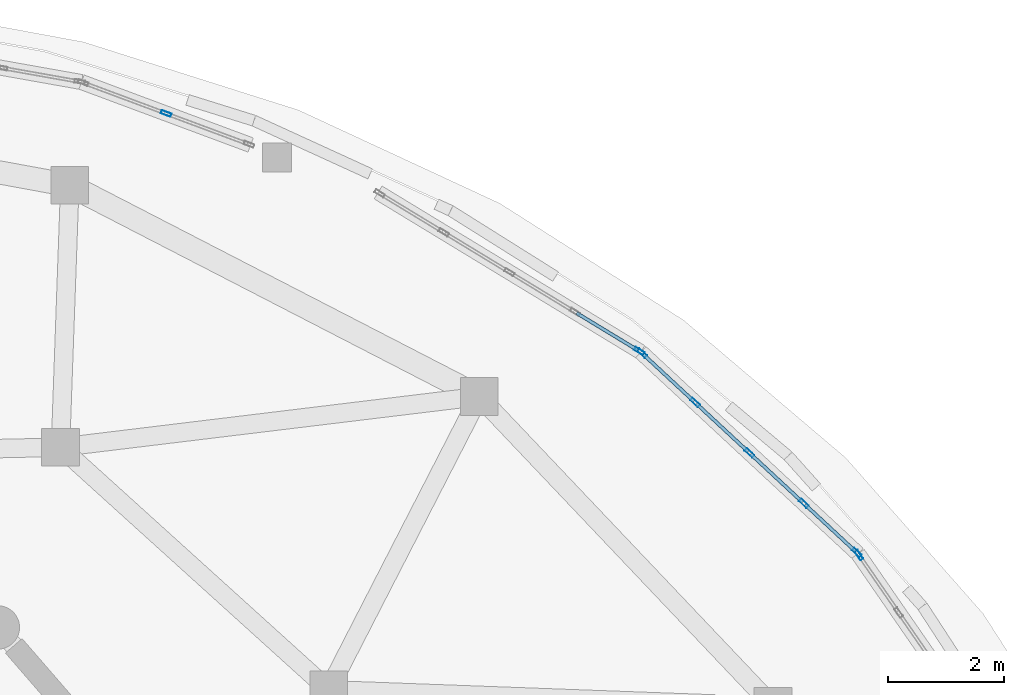
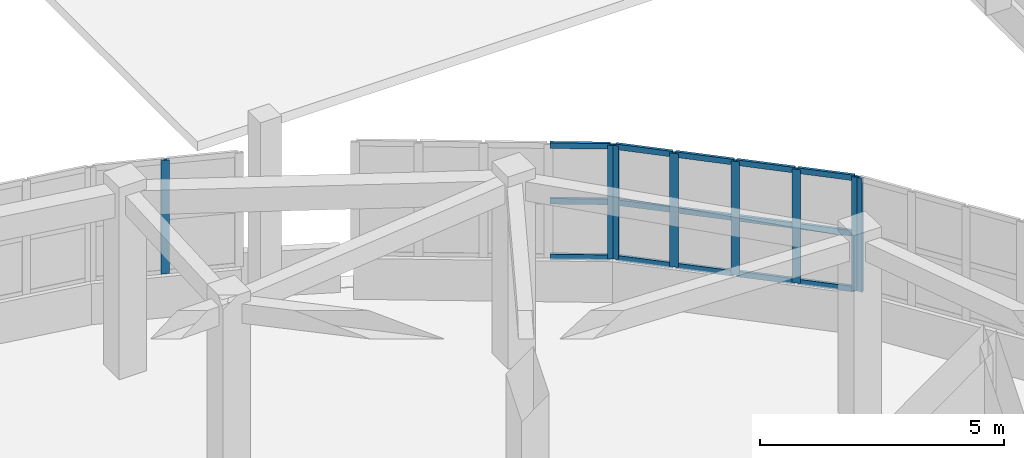
# One storey, part 62 of 105: 23 members, 4 elements without a shape of their own.
"""IFC4 building model written with IfcOpenShell, lengths in metres."""

import ifcopenshell
import ifcopenshell.guid

model = None  # the IFC model being written
_history = None  # IfcOwnerHistory: only IFC2X3 demands one
_inside = {}  # id of a spatial element -> (the spatial element, [elements in it])
_under = {}  # id of a project, library or spatial element -> (it, [spatial elements below it])
_declared = {}  # id of a project -> (the project, [libraries it declares])
_typed = {}  # id of a type object -> (the type object, [elements of that type])
_made_of = {}  # id of a material, layer set ... -> (it, [elements and type objects made of it])


def new_model(schema):
    """Start an empty IFC model of exactly this schema.

    Asked for "IFC4X3", IfcOpenShell would pick the latest addendum, in which some entities
    have other attributes; the version numbers below select the first issue.
    IFC2X3 requires an IfcOwnerHistory on every rooted entity: one is made here for all.
    """
    global model, _history
    if schema == "IFC4X3":
        model = ifcopenshell.file(schema_version=(4, 3, 0, 0))
    else:
        model = ifcopenshell.file(schema=schema)
    _inside.clear()
    _under.clear()
    _declared.clear()
    _typed.clear()
    _made_of.clear()
    _history = None
    if model.schema == "IFC2X3":
        org = make("IfcOrganization", Name="unknown")
        user = make(
            "IfcPersonAndOrganization",
            ThePerson=make("IfcPerson", FamilyName="unknown"),
            TheOrganization=org,
        )
        app = make(
            "IfcApplication",
            ApplicationDeveloper=org,
            Version="unknown",
            ApplicationFullName="unknown",
            ApplicationIdentifier="unknown",
        )
        _history = make(
            "IfcOwnerHistory",
            OwningUser=user,
            OwningApplication=app,
            ChangeAction="ADDED",
            CreationDate=0,
        )
    return model


def make(cls, **values):
    """One entity of the class cls with the attributes given. An attribute that is None is left unset."""
    return model.create_entity(
        cls, **{name: value for name, value in values.items() if value is not None}
    )


def rooted(cls, **values):
    """An entity with a GlobalId (a new one), such as an element, a storey or a relation."""
    return make(cls, GlobalId=ifcopenshell.guid.new(), OwnerHistory=_history, **values)


def si_unit(unit_type, name, prefix=None):
    """IfcSIUnit, for example si_unit("LENGTHUNIT", "METRE", prefix="MILLI")."""
    return make("IfcSIUnit", UnitType=unit_type, Prefix=prefix, Name=name)


def assignment(units):
    """IfcUnitAssignment: the units of a project."""
    return None if units is None else make("IfcUnitAssignment", Units=units)


def point(xyz):
    """IfcCartesianPoint."""
    return None if xyz is None else make("IfcCartesianPoint", Coordinates=xyz)


def direction(xyz):
    """IfcDirection."""
    return None if xyz is None else make("IfcDirection", DirectionRatios=xyz)


def frame(location, z_axis=None, x_axis=None):
    """IfcAxis2Placement3D, a coordinate frame: its origin and axes. An axis left out is left unset."""
    return make(
        "IfcAxis2Placement3D",
        Location=point(location),
        Axis=direction(z_axis),
        RefDirection=direction(x_axis),
    )


def frame_2d(location, x_axis=None):
    """IfcAxis2Placement2D, a coordinate frame in the plane: its origin and x axis."""
    return make(
        "IfcAxis2Placement2D", Location=point(location), RefDirection=direction(x_axis)
    )


def origin():
    """The frame at (0, 0, 0) with its axes left unset."""
    return frame((0.0, 0.0, 0.0))


def origin_2d():
    """The frame at (0, 0) in the plane with its x axis left unset."""
    return frame_2d((0.0, 0.0))


def place(relative_to, where):
    """IfcLocalPlacement: puts the frame where relative to a parent placement (None: the world)."""
    return make(
        "IfcLocalPlacement", PlacementRelTo=relative_to, RelativePlacement=where
    )


def context(
    kind, dimensions, precision=None, world=None, true_north=None, identifier=None
):
    """IfcGeometricRepresentationContext, for example the 3D "Model" context."""
    return make(
        "IfcGeometricRepresentationContext",
        ContextIdentifier=identifier,
        ContextType=kind,
        CoordinateSpaceDimension=dimensions,
        Precision=precision,
        WorldCoordinateSystem=world,
        TrueNorth=true_north,
    )


def subcontext(parent, identifier, kind, view, scale=None):
    """IfcGeometricRepresentationSubContext, for example "Body" below "Model"."""
    return make(
        "IfcGeometricRepresentationSubContext",
        ContextIdentifier=identifier,
        ContextType=kind,
        ParentContext=parent,
        TargetScale=scale,
        TargetView=view,
    )


def project(units=None, contexts=None):
    """IfcProject with its units and contexts."""
    return rooted(
        "IfcProject",
        Name="project",
        RepresentationContexts=contexts,
        UnitsInContext=assignment(units),
    )


def spatial(cls, under=None, at=None, **own):
    """A site, building, storey or space (cls), placed at a placement, below another one or the project."""
    s = rooted(cls, ObjectPlacement=at, **own)
    if under is not None:
        _under.setdefault(under.id(), (under, []))[1].append(s)
    return s


def profile(cls, at=None, kind="AREA", **sizes):
    """A parametric profile (cls). Its sizes go by their IFC names, for example OverallWidth=200.0."""
    return make(cls, ProfileType=kind, Position=at, **sizes)


def hollow_rectangle(**sizes):
    """IfcRectangleHollowProfileDef."""
    return profile("IfcRectangleHollowProfileDef", **sizes)


def extrude(swept, where, along, depth):
    """IfcExtrudedAreaSolid: the profile swept, set in the frame where, extruded along a direction by depth."""
    return make(
        "IfcExtrudedAreaSolid",
        SweptArea=swept,
        Position=where,
        ExtrudedDirection=direction(along),
        Depth=depth,
    )


def shape(context_of_items, identifier, shape_type, items):
    """IfcShapeRepresentation: the items that make up one representation, for example the "Body"."""
    return make(
        "IfcShapeRepresentation",
        ContextOfItems=context_of_items,
        RepresentationIdentifier=identifier,
        RepresentationType=shape_type,
        Items=items,
    )


def material(Name=None, Category=None):
    """IfcMaterial."""
    return make("IfcMaterial", Name=Name, Category=Category)


def layer(
    of_material, thickness, ventilated=None, Name=None, Category=None, Priority=None
):
    """IfcMaterialLayer: one layer of a wall or slab, of a material (None: an air gap)."""
    return make(
        "IfcMaterialLayer",
        Material=of_material,
        LayerThickness=thickness,
        IsVentilated=ventilated,
        Name=Name,
        Category=Category,
        Priority=Priority,
    )


def layer_set(layers, Name=None):
    """IfcMaterialLayerSet."""
    return make("IfcMaterialLayerSet", MaterialLayers=layers, LayerSetName=Name)


def material_profile(
    of_material, cross_section, Name=None, Category=None, Priority=None
):
    """IfcMaterialProfile: a cross section and its material."""
    return make(
        "IfcMaterialProfile",
        Name=Name,
        Material=of_material,
        Profile=cross_section,
        Priority=Priority,
        Category=Category,
    )


def profile_set(profiles, Name=None, composite=None):
    """IfcMaterialProfileSet."""
    return make(
        "IfcMaterialProfileSet",
        Name=Name,
        MaterialProfiles=profiles,
        CompositeProfile=composite,
    )


def made_of(thing, what):
    """Note that an element or type object is made of a material, layer set ...; save() writes the relation."""
    if what is not None:
        _made_of.setdefault(what.id(), (what, []))[1].append(thing)
    return thing


def type_object(cls, material=None, **own):
    """A type object (cls), such as IfcWallType, which elements share."""
    return made_of(rooted(cls, **own), material)


def element(
    cls,
    number,
    at=None,
    inside=None,
    cuts=None,
    type_object=None,
    material=None,
    context=None,
    identifier="Body",
    shape_type=None,
    held_by="IfcProductDefinitionShape",
    body=None,
    shapes=None,
    **own,
):
    """One element of the class cls, such as IfcWall. Its Tag is "e" and its number.

    at: its placement. inside: the storey or other place that contains it. cuts: it is an
    opening in that element (IfcRelVoidsElement). A single representation is given by context,
    identifier, shape_type and body (its items); several are given by shapes. held_by: the class
    of the entity that holds the representations. save() writes the other relations.
    """
    e = rooted(cls, Tag="e%d" % number, ObjectPlacement=at, **own)
    if body is not None:
        shapes = [shape(context, identifier, shape_type, body)]
    if shapes is not None:
        e.Representation = make(held_by, Representations=shapes)
    if inside is not None:
        _inside.setdefault(inside.id(), (inside, []))[1].append(e)
    if cuts is not None:
        rooted(
            "IfcRelVoidsElement", RelatingBuildingElement=cuts, RelatedOpeningElement=e
        )
    if type_object is not None:
        _typed.setdefault(type_object.id(), (type_object, []))[1].append(e)
    return made_of(e, material)


def aggregate(whole, parts):
    """IfcRelAggregates: a whole, such as a stair, and the parts it consists of."""
    return rooted("IfcRelAggregates", RelatingObject=whole, RelatedObjects=parts)


def save(model, path):
    """Write the relations noted so far, then the file.

    IfcRelAggregates (storeys below a building ...), IfcRelContainedInSpatialStructure (elements
    in a storey), IfcRelDefinesByType, IfcRelAssociatesMaterial and IfcRelDeclares: one each for
    every whole, place, type object, material and project.
    """
    for whole, parts in _under.values():
        aggregate(whole, parts)
    for where, things in _inside.values():
        rooted(
            "IfcRelContainedInSpatialStructure",
            RelatedElements=things,
            RelatingStructure=where,
        )
    for kind, things in _typed.values():
        rooted("IfcRelDefinesByType", RelatedObjects=things, RelatingType=kind)
    for what, things in _made_of.values():
        rooted("IfcRelAssociatesMaterial", RelatedObjects=things, RelatingMaterial=what)
    for by, libraries in _declared.values():
        rooted("IfcRelDeclares", RelatingContext=by, RelatedDefinitions=libraries)
    model.write(path)


model = new_model("IFC4")

# Units and contexts
model_context = context("Model", 3, precision=1e-05, world=origin(), true_north=direction((0.0, 1.0)))
body_context = subcontext(model_context, "Body", "Model", "MODEL_VIEW")
ifc_project = project(units=[si_unit("LENGTHUNIT", "METRE"), si_unit("AREAUNIT", "SQUARE_METRE"), si_unit("VOLUMEUNIT", "CUBIC_METRE"), si_unit("PLANEANGLEUNIT", "RADIAN"), si_unit("MASSUNIT", "GRAM", prefix="KILO")], contexts=[model_context])

# Site, building, storey
site_placement = place(None, origin())
site = spatial("IfcSite", under=ifc_project, at=site_placement, CompositionType="ELEMENT")
building_placement = place(site_placement, origin())
building = spatial("IfcBuilding", under=site, at=building_placement, Name="Pelvatis Terrace Science Centre", CompositionType="ELEMENT")
storey_placement = place(building_placement, frame((0.0, 0.0, 10.199951171875)))
storey = spatial("IfcBuildingStorey", under=building, at=storey_placement, Name="L02", CompositionType="ELEMENT", Elevation=10.199951171875)

# Curtain wall, member
ifc_material_1 = material(Name="Bronze-anodised aluminium and laminated glass", Category="aluminium")
ifc_layer = layer(ifc_material_1, 0.179931640625)
ifc_layer_set = layer_set([ifc_layer], Name="Bronze-anodised aluminium and laminated glass")
curtain_wall_type = type_object("IfcCurtainWallType", Name="CW-RIBBON-A", PredefinedType="NOTDEFINED", material=ifc_layer_set)
curtain_wall_1_placement = place(storey_placement, origin())
curtain_wall_1 = element("IfcCurtainWall", 1, at=curtain_wall_1_placement, inside=storey, type_object=curtain_wall_type, Name="Ribbon curtain wall CW-156 (L02)", PredefinedType="NOTDEFINED")
ifc_material_2 = material(Name="Bronze-anodised aluminium 6063-T6", Category="aluminium")
ifc_material_profile_1 = material_profile(ifc_material_2, hollow_rectangle(XDim=0.06005859375, YDim=0.179931640625, WallThickness=0.00390625, at=origin_2d()), Name="ALU-MUL 60x180")
ifc_profile_set_1 = profile_set([ifc_material_profile_1], Name="Bronze-anodised aluminium 6063-T6")
member_type_1 = type_object("IfcMemberType", Name="CWM-60x180", PredefinedType="MULLION", material=ifc_profile_set_1)
member_1_placement = place(storey_placement, frame((132.339111328125, 96.571044921875, 1.02001953125), z_axis=(0.0, 0.0, 1.0), x_axis=(-0.822888336113, -0.568203120626, 0.0)))
member_1 = element("IfcMember", 2, at=member_1_placement, type_object=member_type_1, Name="CW-156 mullion 5", PredefinedType="MULLION", context=body_context, shape_type="SweptSolid", body=[
    extrude(hollow_rectangle(XDim=0.06005859375, YDim=0.179931640625, WallThickness=0.00390625, at=origin_2d()), origin(), (0.0, 0.0, 1.0), 2.840087890625),
])
aggregate(curtain_wall_1, [member_1])

# Curtain wall, members
curtain_wall_2_placement = place(storey_placement, origin())
curtain_wall_2 = element("IfcCurtainWall", 3, at=curtain_wall_2_placement, inside=storey, type_object=curtain_wall_type, Name="Ribbon curtain wall CW-157 (L02)", PredefinedType="NOTDEFINED")
member_2_placement = place(storey_placement, frame((132.300048828125, 96.6162109375, 1.02001953125), z_axis=(0.0, 0.0, 1.0), x_axis=(-0.680469807369, -0.732776119466, 0.0)))
member_2 = element("IfcMember", 4, at=member_2_placement, type_object=member_type_1, Name="CW-157 mullion 1", PredefinedType="MULLION", context=body_context, shape_type="SweptSolid", body=[
    extrude(hollow_rectangle(XDim=0.06005859375, YDim=0.179931640625, WallThickness=0.00390625, at=origin_2d()), origin(), (0.0, 0.0, 1.0), 2.840087890625),
])
member_3_placement = place(storey_placement, frame((131.383056640625, 97.4677734375, 1.02001953125), z_axis=(0.0, 0.0, 1.0), x_axis=(-0.680469807369, -0.732776119466, 0.0)))
member_3 = element("IfcMember", 5, at=member_3_placement, type_object=member_type_1, Name="CW-157 mullion 2", PredefinedType="MULLION", context=body_context, shape_type="SweptSolid", body=[
    extrude(hollow_rectangle(XDim=0.06005859375, YDim=0.179931640625, WallThickness=0.00390625, at=origin_2d()), origin(), (0.0, 0.0, 1.0), 2.840087890625),
])
member_4_placement = place(storey_placement, frame((130.444091796875, 98.339599609375, 1.02001953125), z_axis=(0.0, 0.0, 1.0), x_axis=(-0.680469807369, -0.732776119466, 0.0)))
member_4 = element("IfcMember", 6, at=member_4_placement, type_object=member_type_1, Name="CW-157 mullion 3", PredefinedType="MULLION", context=body_context, shape_type="SweptSolid", body=[
    extrude(hollow_rectangle(XDim=0.06005859375, YDim=0.179931640625, WallThickness=0.00390625, at=origin_2d()), origin(), (0.0, 0.0, 1.0), 2.840087890625),
])
member_5_placement = place(storey_placement, frame((129.505126953125, 99.211669921875, 1.02001953125), z_axis=(0.0, 0.0, 1.0), x_axis=(-0.680469807369, -0.732776119466, 0.0)))
member_5 = element("IfcMember", 7, at=member_5_placement, type_object=member_type_1, Name="CW-157 mullion 4", PredefinedType="MULLION", context=body_context, shape_type="SweptSolid", body=[
    extrude(hollow_rectangle(XDim=0.06005859375, YDim=0.179931640625, WallThickness=0.00390625, at=origin_2d()), origin(), (0.0, 0.0, 1.0), 2.840087890625),
])
member_6_placement = place(storey_placement, frame((128.588134765625, 100.063232421875, 1.02001953125), z_axis=(0.0, 0.0, 1.0), x_axis=(-0.680469807369, -0.732776119466, 0.0)))
member_6 = element("IfcMember", 8, at=member_6_placement, type_object=member_type_1, Name="CW-157 mullion 5", PredefinedType="MULLION", context=body_context, shape_type="SweptSolid", body=[
    extrude(hollow_rectangle(XDim=0.06005859375, YDim=0.179931640625, WallThickness=0.00390625, at=origin_2d()), origin(), (0.0, 0.0, 1.0), 2.840087890625),
])

# Curtain wall, member
curtain_wall_3_placement = place(storey_placement, origin())
curtain_wall_3 = element("IfcCurtainWall", 9, at=curtain_wall_3_placement, inside=storey, type_object=curtain_wall_type, Name="Ribbon curtain wall CW-158 (L02)", PredefinedType="NOTDEFINED")
member_7_placement = place(storey_placement, frame((128.54052734375, 100.09912109375, 1.02001953125), z_axis=(0.0, 0.0, 1.0), x_axis=(-0.519190278561, -0.854658677279, 0.0)))
member_7 = element("IfcMember", 10, at=member_7_placement, type_object=member_type_1, Name="CW-158 mullion 1", PredefinedType="MULLION", context=body_context, shape_type="SweptSolid", body=[
    extrude(hollow_rectangle(XDim=0.06005859375, YDim=0.179931640625, WallThickness=0.00390625, at=origin_2d()), origin(), (0.0, 0.0, 1.0), 2.840087890625),
])

curtain_wall_4_placement = place(storey_placement, origin())
curtain_wall_4 = element("IfcCurtainWall", 11, at=curtain_wall_4_placement, inside=storey, type_object=curtain_wall_type, Name="Ribbon curtain wall CW-159 (L02)", PredefinedType="NOTDEFINED")
member_8_placement = place(storey_placement, frame((120.35888671875, 104.20703125, 1.02001953125), z_axis=(0.0, 0.0, 1.0), x_axis=(-0.348867281349, -0.937172140006, 0.0)))
member_8 = element("IfcMember", 12, at=member_8_placement, type_object=member_type_1, Name="CW-159 mullion 2", PredefinedType="MULLION", context=body_context, shape_type="SweptSolid", body=[
    extrude(hollow_rectangle(XDim=0.06005859375, YDim=0.179931640625, WallThickness=0.00390625, at=origin_2d()), origin(), (0.0, 0.0, 1.0), 2.840087890625),
])
aggregate(curtain_wall_4, [member_8])

# Member
ifc_material_3 = material(Name="Bronze-anodised aluminium 6063-T6", Category="aluminium")
ifc_material_profile_2 = material_profile(ifc_material_3, hollow_rectangle(XDim=0.06005859375, YDim=0.139892578125, WallThickness=0.00390625, at=origin_2d()), Name="ALU-TRN 60x140")
ifc_profile_set_2 = profile_set([ifc_material_profile_2], Name="Bronze-anodised aluminium 6063-T6")
member_type_2 = type_object("IfcMemberType", Name="CWT-60x140", PredefinedType="USERDEFINED", material=ifc_profile_set_2)
member_9_placement = place(storey_placement, frame((132.278076171875, 96.63671875, 1.050048828125), z_axis=(-0.732851881711, 0.680388212327, 0.0), x_axis=(-0.680388212327, -0.732851881711, 0.0)))
member_9 = element("IfcMember", 13, at=member_9_placement, type_object=member_type_2, Name="CW-157 transom 1.1", ObjectType="TRANSOM", PredefinedType="USERDEFINED", context=body_context, shape_type="SweptSolid", body=[
    extrude(hollow_rectangle(XDim=0.06005859375, YDim=0.139892578125, WallThickness=0.00390625, at=origin_2d()), origin(), (0.0, 0.0, 1.0), 1.19140625),
])

member_10_placement = place(storey_placement, frame((132.278076171875, 96.63671875, 2.43994140625), z_axis=(-0.732851881711, 0.680388212327, 0.0), x_axis=(-0.680388212327, -0.732851881711, 0.0)))
member_10 = element("IfcMember", 14, at=member_10_placement, type_object=member_type_2, Name="CW-157 transom 1.2", ObjectType="TRANSOM", PredefinedType="USERDEFINED", context=body_context, shape_type="SweptSolid", body=[
    extrude(hollow_rectangle(XDim=0.06005859375, YDim=0.139892578125, WallThickness=0.00390625, at=origin_2d()), origin(), (0.0, 0.0, 1.0), 1.19140625),
])

member_11_placement = place(storey_placement, frame((132.278076171875, 96.63671875, 3.830078125), z_axis=(-0.732851881711, 0.680388212327, 0.0), x_axis=(-0.680388212327, -0.732851881711, 0.0)))
member_11 = element("IfcMember", 15, at=member_11_placement, type_object=member_type_2, Name="CW-157 transom 1.3", ObjectType="TRANSOM", PredefinedType="USERDEFINED", context=body_context, shape_type="SweptSolid", body=[
    extrude(hollow_rectangle(XDim=0.06005859375, YDim=0.139892578125, WallThickness=0.00390625, at=origin_2d()), origin(), (0.0, 0.0, 1.0), 1.19140625),
])

member_12_placement = place(storey_placement, frame((131.361083984375, 97.48828125, 1.050048828125), z_axis=(-0.732807730419, 0.680435764961, 0.0), x_axis=(-0.680435764961, -0.732807730419, 0.0)))
member_12 = element("IfcMember", 16, at=member_12_placement, type_object=member_type_2, Name="CW-157 transom 2.1", ObjectType="TRANSOM", PredefinedType="USERDEFINED", context=body_context, shape_type="SweptSolid", body=[
    extrude(hollow_rectangle(XDim=0.06005859375, YDim=0.139892578125, WallThickness=0.00390625, at=origin_2d()), origin(), (0.0, 0.0, 1.0), 1.221435546875),
])

member_13_placement = place(storey_placement, frame((131.361083984375, 97.48828125, 2.43994140625), z_axis=(-0.732807730419, 0.680435764961, 0.0), x_axis=(-0.680435764961, -0.732807730419, 0.0)))
member_13 = element("IfcMember", 17, at=member_13_placement, type_object=member_type_2, Name="CW-157 transom 2.2", ObjectType="TRANSOM", PredefinedType="USERDEFINED", context=body_context, shape_type="SweptSolid", body=[
    extrude(hollow_rectangle(XDim=0.06005859375, YDim=0.139892578125, WallThickness=0.00390625, at=origin_2d()), origin(), (0.0, 0.0, 1.0), 1.221435546875),
])

member_14_placement = place(storey_placement, frame((131.361083984375, 97.48828125, 3.830078125), z_axis=(-0.732807730419, 0.680435764961, 0.0), x_axis=(-0.680435764961, -0.732807730419, 0.0)))
member_14 = element("IfcMember", 18, at=member_14_placement, type_object=member_type_2, Name="CW-157 transom 2.3", ObjectType="TRANSOM", PredefinedType="USERDEFINED", context=body_context, shape_type="SweptSolid", body=[
    extrude(hollow_rectangle(XDim=0.06005859375, YDim=0.139892578125, WallThickness=0.00390625, at=origin_2d()), origin(), (0.0, 0.0, 1.0), 1.221435546875),
])

member_15_placement = place(storey_placement, frame((130.422119140625, 98.360107421875, 1.050048828125), z_axis=(-0.732807730419, 0.680435764961, 0.0), x_axis=(-0.680435764961, -0.732807730419, 0.0)))
member_15 = element("IfcMember", 19, at=member_15_placement, type_object=member_type_2, Name="CW-157 transom 3.1", ObjectType="TRANSOM", PredefinedType="USERDEFINED", context=body_context, shape_type="SweptSolid", body=[
    extrude(hollow_rectangle(XDim=0.06005859375, YDim=0.139892578125, WallThickness=0.00390625, at=origin_2d()), origin(), (0.0, 0.0, 1.0), 1.221435546875),
])

member_16_placement = place(storey_placement, frame((130.422119140625, 98.360107421875, 2.43994140625), z_axis=(-0.732807730419, 0.680435764961, 0.0), x_axis=(-0.680435764961, -0.732807730419, 0.0)))
member_16 = element("IfcMember", 20, at=member_16_placement, type_object=member_type_2, Name="CW-157 transom 3.2", ObjectType="TRANSOM", PredefinedType="USERDEFINED", context=body_context, shape_type="SweptSolid", body=[
    extrude(hollow_rectangle(XDim=0.06005859375, YDim=0.139892578125, WallThickness=0.00390625, at=origin_2d()), origin(), (0.0, 0.0, 1.0), 1.221435546875),
])

member_17_placement = place(storey_placement, frame((130.422119140625, 98.360107421875, 3.830078125), z_axis=(-0.732807730419, 0.680435764961, 0.0), x_axis=(-0.680435764961, -0.732807730419, 0.0)))
member_17 = element("IfcMember", 21, at=member_17_placement, type_object=member_type_2, Name="CW-157 transom 3.3", ObjectType="TRANSOM", PredefinedType="USERDEFINED", context=body_context, shape_type="SweptSolid", body=[
    extrude(hollow_rectangle(XDim=0.06005859375, YDim=0.139892578125, WallThickness=0.00390625, at=origin_2d()), origin(), (0.0, 0.0, 1.0), 1.221435546875),
])

member_18_placement = place(storey_placement, frame((129.483154296875, 99.232177734375, 1.050048828125), z_axis=(-0.732851881711, 0.680388212327, 0.0), x_axis=(-0.680388212327, -0.732851881711, 0.0)))
member_18 = element("IfcMember", 22, at=member_18_placement, type_object=member_type_2, Name="CW-157 transom 4.1", ObjectType="TRANSOM", PredefinedType="USERDEFINED", context=body_context, shape_type="SweptSolid", body=[
    extrude(hollow_rectangle(XDim=0.06005859375, YDim=0.139892578125, WallThickness=0.00390625, at=origin_2d()), origin(), (0.0, 0.0, 1.0), 1.19140625),
])

member_19_placement = place(storey_placement, frame((129.483154296875, 99.232177734375, 2.43994140625), z_axis=(-0.732851881711, 0.680388212327, 0.0), x_axis=(-0.680388212327, -0.732851881711, 0.0)))
member_19 = element("IfcMember", 23, at=member_19_placement, type_object=member_type_2, Name="CW-157 transom 4.2", ObjectType="TRANSOM", PredefinedType="USERDEFINED", context=body_context, shape_type="SweptSolid", body=[
    extrude(hollow_rectangle(XDim=0.06005859375, YDim=0.139892578125, WallThickness=0.00390625, at=origin_2d()), origin(), (0.0, 0.0, 1.0), 1.19140625),
])

member_20_placement = place(storey_placement, frame((129.483154296875, 99.232177734375, 3.830078125), z_axis=(-0.732851881711, 0.680388212327, 0.0), x_axis=(-0.680388212327, -0.732851881711, 0.0)))
member_20 = element("IfcMember", 24, at=member_20_placement, type_object=member_type_2, Name="CW-157 transom 4.3", ObjectType="TRANSOM", PredefinedType="USERDEFINED", context=body_context, shape_type="SweptSolid", body=[
    extrude(hollow_rectangle(XDim=0.06005859375, YDim=0.139892578125, WallThickness=0.00390625, at=origin_2d()), origin(), (0.0, 0.0, 1.0), 1.19140625),
])

aggregate(curtain_wall_2, [member_2, member_3, member_4, member_5, member_6, member_9, member_10, member_11, member_12, member_13, member_14, member_15, member_16, member_17, member_18, member_19, member_20])

member_21_placement = place(storey_placement, frame((128.514892578125, 100.11474609375, 1.050048828125), z_axis=(-0.854609431055, 0.519271335963, 0.0), x_axis=(-0.519271335963, -0.854609431055, 0.0)))
member_21 = element("IfcMember", 25, at=member_21_placement, type_object=member_type_2, Name="CW-158 transom 1.1", ObjectType="TRANSOM", PredefinedType="USERDEFINED", context=body_context, shape_type="SweptSolid", body=[
    extrude(hollow_rectangle(XDim=0.06005859375, YDim=0.139892578125, WallThickness=0.00390625, at=origin_2d()), origin(), (0.0, 0.0, 1.0), 1.23828125),
])

member_22_placement = place(storey_placement, frame((128.514892578125, 100.11474609375, 2.43994140625), z_axis=(-0.854609431055, 0.519271335963, 0.0), x_axis=(-0.519271335963, -0.854609431055, 0.0)))
member_22 = element("IfcMember", 26, at=member_22_placement, type_object=member_type_2, Name="CW-158 transom 1.2", ObjectType="TRANSOM", PredefinedType="USERDEFINED", context=body_context, shape_type="SweptSolid", body=[
    extrude(hollow_rectangle(XDim=0.06005859375, YDim=0.139892578125, WallThickness=0.00390625, at=origin_2d()), origin(), (0.0, 0.0, 1.0), 1.23828125),
])

member_23_placement = place(storey_placement, frame((128.514892578125, 100.11474609375, 3.830078125), z_axis=(-0.854609431055, 0.519271335963, 0.0), x_axis=(-0.519271335963, -0.854609431055, 0.0)))
member_23 = element("IfcMember", 27, at=member_23_placement, type_object=member_type_2, Name="CW-158 transom 1.3", ObjectType="TRANSOM", PredefinedType="USERDEFINED", context=body_context, shape_type="SweptSolid", body=[
    extrude(hollow_rectangle(XDim=0.06005859375, YDim=0.139892578125, WallThickness=0.00390625, at=origin_2d()), origin(), (0.0, 0.0, 1.0), 1.23828125),
])

aggregate(curtain_wall_3, [member_7, member_21, member_22, member_23])

save(model, "model.ifc")
